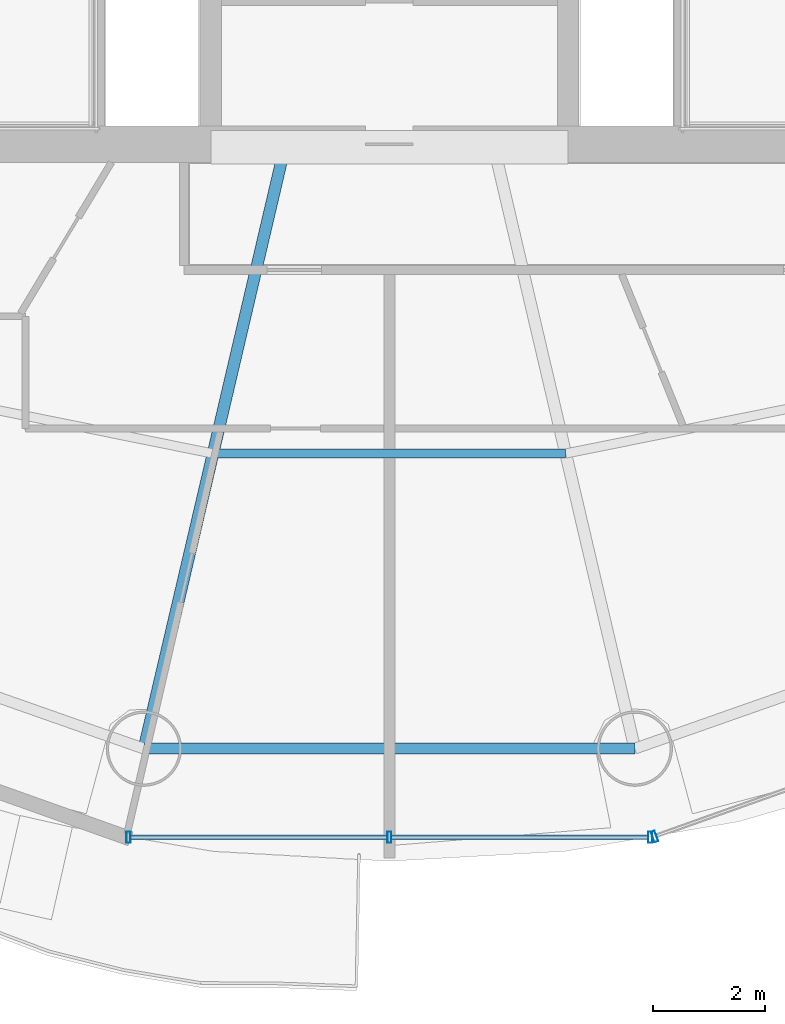
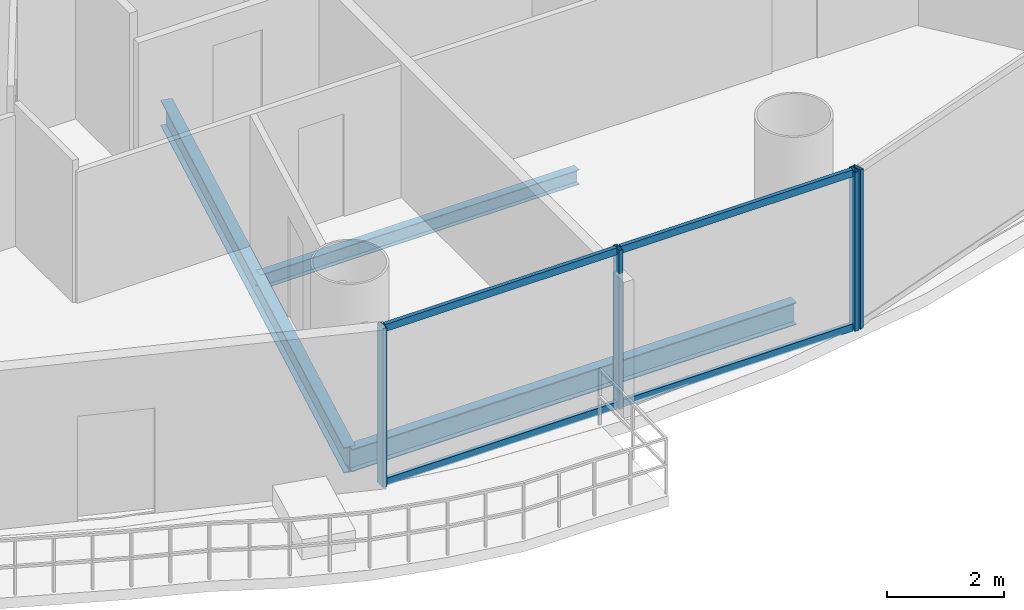
# One storey, part 5 of 27: 8 members, 3 beams, 2 elements without a shape of their own.
"""IFC4 building model written with IfcOpenShell, lengths in metres."""

from ifc_helpers import new_model, si_unit, direction, frame, origin, origin_2d, place, context, subcontext, project, spatial, hollow_rectangle, i_section, extrude, source, transform, mapped, material, material_profile, profile_set, type_object, element, aggregate, save


model = new_model("IFC4")

# Units and contexts
model_context = context("Model", 3, precision=1e-05, world=origin(), true_north=direction((-0.2419218956, 0.970295726276)))
body_context = subcontext(model_context, "Body", "Model", "MODEL_VIEW")
ifc_project = project(units=[si_unit("LENGTHUNIT", "METRE"), si_unit("AREAUNIT", "SQUARE_METRE"), si_unit("VOLUMEUNIT", "CUBIC_METRE"), si_unit("PLANEANGLEUNIT", "RADIAN"), si_unit("MASSUNIT", "GRAM", prefix="KILO")], contexts=[model_context])

# Site, building, storey
site_placement = place(None, origin())
site = spatial("IfcSite", under=ifc_project, at=site_placement, CompositionType="ELEMENT")
building_placement = place(site_placement, origin())
building = spatial("IfcBuilding", under=site, at=building_placement, Name="Cobrevalo Terracotta Tower", CompositionType="ELEMENT")
storey_placement = place(building_placement, frame((0.0, 0.0, 160.60009765625)))
storey = spatial("IfcBuildingStorey", under=building, at=storey_placement, Name="L42", CompositionType="ELEMENT", Elevation=160.60009765625)

# Beams
ifc_material_1 = material(Name="Steel S355", Category="steel")
ifc_material_profile_1 = material_profile(ifc_material_1, i_section(OverallWidth=0.2109375, OverallDepth=0.5390625, WebThickness=0.01171875, FlangeThickness=0.018798828125, at=origin_2d()), Name="W 530x109")
ifc_profile_set_1 = profile_set([ifc_material_profile_1], Name="Steel S355")
beam_type_1 = type_object("IfcBeamType", Name="Structural Beam W 530x109 (Steel S355)", PredefinedType="BEAM", material=ifc_profile_set_1)
beam_1_placement = place(storey_placement, frame((33.600830078125, 8.01806640625, -0.53955078125), z_axis=(0.228045854186, 0.973650393308, 0.0), x_axis=(-0.973650393308, 0.228045854186, 0.0)))
element("IfcBeam", 1, at=beam_1_placement, inside=storey, type_object=beam_type_1, Name="L42 radial floor girder 12", PredefinedType="BEAM", context=body_context, shape_type="SweptSolid", body=[
    extrude(i_section(OverallWidth=0.2109375, OverallDepth=0.5390625, WebThickness=0.01171875, FlangeThickness=0.018798828125, at=origin_2d()), origin(), (0.0, 0.0, 1.0), 10.863037109375),
])
ifc_material_profile_2 = material_profile(ifc_material_1, i_section(OverallWidth=0.1650390625, OverallDepth=0.31005859375, WebThickness=0.005859375, FlangeThickness=0.009765625, at=origin_2d()), Name="W 310x38.7")
ifc_profile_set_2 = profile_set([ifc_material_profile_2], Name="Steel S355")
beam_type_2 = type_object("IfcBeamType", Name="Structural Joist W 310x38.7 (Steel S355)", PredefinedType="JOIST", material=ifc_profile_set_2)
beam_2_placement = place(storey_placement, frame((34.83935546875, 13.306396484375, -0.425048828125), z_axis=(1.0, 0.0, 0.0), x_axis=(0.0, 1.0, 0.0)))
element("IfcBeam", 2, at=beam_2_placement, inside=storey, type_object=beam_type_2, Name="L42 circumferential secondary floor joist 12", PredefinedType="JOIST", context=body_context, shape_type="SweptSolid", body=[
    extrude(i_section(OverallWidth=0.1650390625, OverallDepth=0.31005859375, WebThickness=0.005859375, FlangeThickness=0.009765625, at=origin_2d()), origin(), (0.0, 0.0, 1.0), 6.3212890625),
])
ifc_material_profile_3 = material_profile(ifc_material_1, i_section(OverallWidth=0.194091796875, OverallDepth=0.468994140625, WebThickness=0.011474609375, FlangeThickness=0.0205078125, at=origin_2d()), Name="W 460x106")
ifc_profile_set_3 = profile_set([ifc_material_profile_3], Name="Steel S355")
beam_type_3 = type_object("IfcBeamType", Name="Structural Spandrel W 460x106 (Steel S355)", PredefinedType="SPANDREL", material=ifc_profile_set_3)
beam_3_placement = place(storey_placement, frame((33.600830078125, 8.01806640625, -0.504638671875), z_axis=(1.0, 0.0, 0.0), x_axis=(0.0, 1.0, 0.0)))
element("IfcBeam", 3, at=beam_3_placement, inside=storey, type_object=beam_type_3, Name="L42 perimeter ring spandrel 12", PredefinedType="SPANDREL", context=body_context, shape_type="SweptSolid", body=[
    extrude(i_section(OverallWidth=0.194091796875, OverallDepth=0.468994140625, WebThickness=0.011474609375, FlangeThickness=0.0205078125, at=origin_2d()), origin(), (0.0, 0.0, 1.0), 8.79833984375),
])

# Curtain wall, members
ifc_material_2 = material(Name="Anodized aluminium", Category="aluminium")
curtain_wall_type = type_object("IfcCurtainWallType", Name="Mid-tower high-wind unitised curtain wall CW-U2", PredefinedType="NOTDEFINED", material=ifc_material_2)
curtain_wall_1_placement = place(storey_placement, origin())
curtain_wall_1 = element("IfcCurtainWall", 4, at=curtain_wall_1_placement, inside=storey, type_object=curtain_wall_type, Name="L42 curtain wall CW-L42-S12", PredefinedType="NOTDEFINED")
ifc_material_profile_4 = material_profile(ifc_material_2, hollow_rectangle(XDim=0.074951171875, YDim=0.14990234375, WallThickness=0.00439453125, at=origin_2d()), Name="CWT 75x150")
ifc_profile_set_4 = profile_set([ifc_material_profile_4], Name="Anodized aluminium")
member_type_1 = type_object("IfcMemberType", Name="Tower unitised aluminium transom 75x150", PredefinedType="USERDEFINED", material=ifc_profile_set_4)
shared_shape_1 = source(origin(), body_context, "Body", "SweptSolid", [
    extrude(hollow_rectangle(XDim=0.074951171875, YDim=0.14990234375, WallThickness=0.00439453125, at=origin_2d()), origin(), (0.0, 0.0, 1.0), 4.59521484375),
])
member_1_placement = place(storey_placement, frame((33.36474609375, 6.42919921875, 0.0498046875), z_axis=(1.0, 0.0, 0.0), x_axis=(0.0, 1.0, 0.0)))
member_1 = element("IfcMember", 5, at=member_1_placement, type_object=member_type_1, Name="CW-L42-S12 transom B01-T1", ObjectType="TRANSOM", PredefinedType="USERDEFINED", context=body_context, shape_type="MappedRepresentation", body=[
    mapped(shared_shape_1, transform((0.0, 0.0, 0.0), scale=1.0)),
])
member_2_placement = place(storey_placement, frame((33.36474609375, 6.42919921875, 3.27978515625), z_axis=(1.0, 0.0, 0.0), x_axis=(0.0, 1.0, 0.0)))
member_2 = element("IfcMember", 6, at=member_2_placement, type_object=member_type_1, Name="CW-L42-S12 transom B01-T2", ObjectType="TRANSOM", PredefinedType="USERDEFINED", context=body_context, shape_type="MappedRepresentation", body=[
    mapped(shared_shape_1, transform((0.0, 0.0, 0.0), scale=1.0)),
])
member_3_placement = place(storey_placement, frame((38.0400390625, 6.42919921875, 0.0498046875), z_axis=(1.0, 0.0, 0.0), x_axis=(0.0, 1.0, 0.0)))
member_3 = element("IfcMember", 7, at=member_3_placement, type_object=member_type_1, Name="CW-L42-S12 transom B02-T1", ObjectType="TRANSOM", PredefinedType="USERDEFINED", context=body_context, shape_type="MappedRepresentation", body=[
    mapped(shared_shape_1, transform((0.0, 0.0, 0.0), scale=1.0)),
])
member_4_placement = place(storey_placement, frame((38.0400390625, 6.42919921875, 3.27978515625), z_axis=(1.0, 0.0, 0.0), x_axis=(0.0, 1.0, 0.0)))
member_4 = element("IfcMember", 8, at=member_4_placement, type_object=member_type_1, Name="CW-L42-S12 transom B02-T2", ObjectType="TRANSOM", PredefinedType="USERDEFINED", context=body_context, shape_type="MappedRepresentation", body=[
    mapped(shared_shape_1, transform((0.0, 0.0, 0.0), scale=1.0)),
])
ifc_material_profile_5 = material_profile(ifc_material_2, hollow_rectangle(XDim=0.074951171875, YDim=0.199951171875, WallThickness=0.0048828125, at=origin_2d()), Name="CWM 75x200")
ifc_profile_set_5 = profile_set([ifc_material_profile_5], Name="Anodized aluminium")
member_type_2 = type_object("IfcMemberType", Name="Lower/mid tower unitised mullion 75x200", PredefinedType="MULLION", material=ifc_profile_set_5)
shared_shape_2 = source(origin(), body_context, "Body", "SweptSolid", [
    extrude(hollow_rectangle(XDim=0.074951171875, YDim=0.199951171875, WallThickness=0.0048828125, at=origin_2d()), origin(), (0.0, 0.0, 1.0), 3.329833984375),
])
member_5_placement = place(storey_placement, frame((33.32470703125, 6.42919921875, 0.0), z_axis=(0.0, 0.0, 1.0), x_axis=(1.0, 0.0, 0.0)))
member_5 = element("IfcMember", 9, at=member_5_placement, type_object=member_type_2, Name="CW-L42-S12 vertical mullion 01", PredefinedType="MULLION", context=body_context, shape_type="MappedRepresentation", body=[
    mapped(shared_shape_2, transform((0.0, 0.0, 0.0), scale=1.0)),
])
member_6_placement = place(storey_placement, frame((38.0, 6.42919921875, 0.0), z_axis=(0.0, 0.0, 1.0), x_axis=(1.0, 0.0, 0.0)))
member_6 = element("IfcMember", 10, at=member_6_placement, type_object=member_type_2, Name="CW-L42-S12 vertical mullion 02", PredefinedType="MULLION", context=body_context, shape_type="MappedRepresentation", body=[
    mapped(shared_shape_2, transform((0.0, 0.0, 0.0), scale=1.0)),
])
member_7_placement = place(storey_placement, frame((42.67529296875, 6.42919921875, 0.0), z_axis=(0.0, 0.0, 1.0), x_axis=(1.0, 0.0, 0.0)))
member_7 = element("IfcMember", 11, at=member_7_placement, type_object=member_type_2, Name="CW-L42-S12 vertical mullion 03", PredefinedType="MULLION", context=body_context, shape_type="MappedRepresentation", body=[
    mapped(shared_shape_2, transform((0.0, 0.0, 0.0), scale=1.0)),
])
aggregate(curtain_wall_1, [member_5, member_6, member_7, member_1, member_2, member_3, member_4])

# Curtain wall, member
curtain_wall_2_placement = place(storey_placement, origin())
curtain_wall_2 = element("IfcCurtainWall", 12, at=curtain_wall_2_placement, inside=storey, type_object=curtain_wall_type, Name="L42 curtain wall CW-L42-S13", PredefinedType="NOTDEFINED")
member_8_placement = place(storey_placement, frame((42.7529296875, 6.4423828125, 0.0), z_axis=(0.0, 0.0, 1.0), x_axis=(0.942098428897, 0.335336473217, 0.0)))
member_8 = element("IfcMember", 13, at=member_8_placement, type_object=member_type_2, Name="CW-L42-S13 vertical mullion 01", PredefinedType="MULLION", context=body_context, shape_type="MappedRepresentation", body=[
    mapped(shared_shape_2, transform((0.0, 0.0, 0.0), scale=1.0)),
])
aggregate(curtain_wall_2, [member_8])

save(model, "model.ifc")
